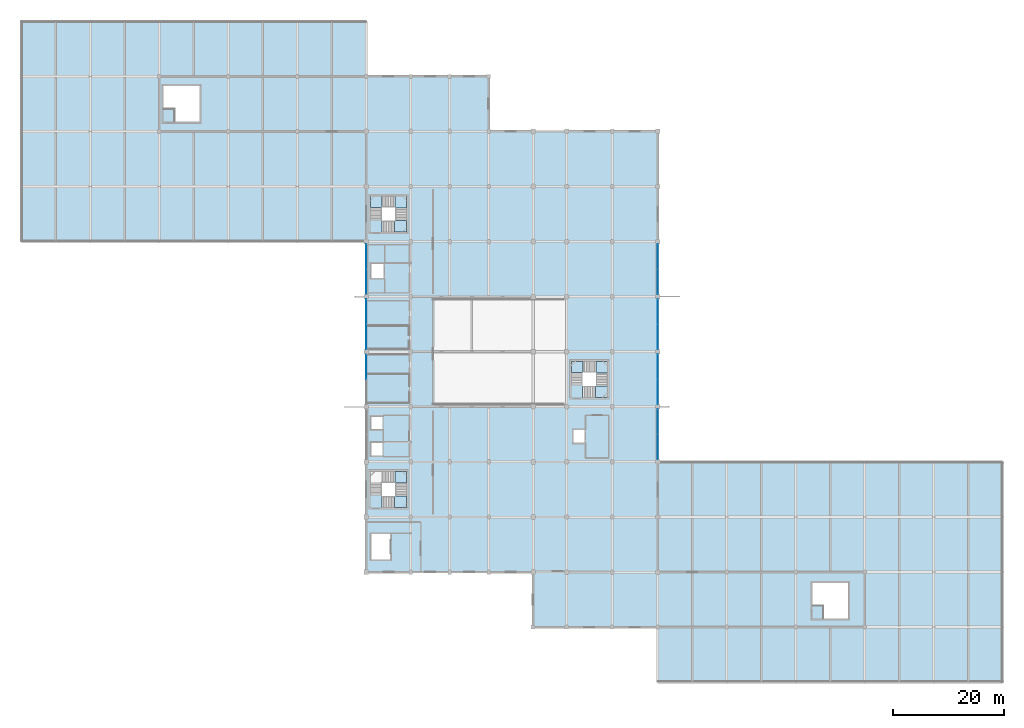
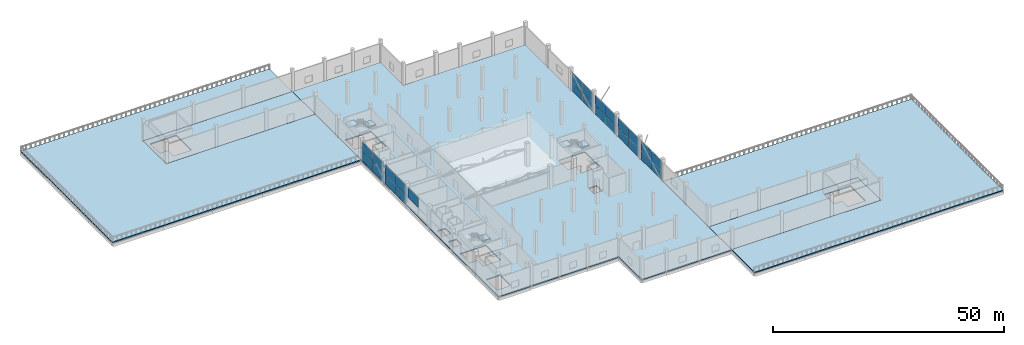
# One storey, part 24 of 46: 25 plates, 13 slabs, 10 elements without a shape of their own.
"""IFC4 building model written with IfcOpenShell, lengths in metres."""

from ifc_helpers import new_model, si_unit, direction, frame, origin, origin_2d, place, context, subcontext, project, spatial, polyline, rectangle, outline, extrude, material, layer, layer_set, type_object, element, aggregate, save


model = new_model("IFC4")

# Units and contexts
model_context = context("Model", 3, precision=1e-05, world=origin(), true_north=direction((0.0, 1.0)))
body_context = subcontext(model_context, "Body", "Model", "MODEL_VIEW")
ifc_project = project(units=[si_unit("LENGTHUNIT", "METRE"), si_unit("AREAUNIT", "SQUARE_METRE"), si_unit("VOLUMEUNIT", "CUBIC_METRE"), si_unit("PLANEANGLEUNIT", "RADIAN"), si_unit("MASSUNIT", "GRAM", prefix="KILO")], contexts=[model_context])

# Site, building, storey
site_placement = place(None, origin())
site = spatial("IfcSite", under=ifc_project, at=site_placement, CompositionType="ELEMENT")
building_placement = place(site_placement, origin())
building = spatial("IfcBuilding", under=site, at=building_placement, Name="Sillaruma Civic Art Gallery", CompositionType="ELEMENT")
storey_placement = place(building_placement, frame((0.0, 0.0, 16.320068359375)))
storey = spatial("IfcBuildingStorey", under=building, at=storey_placement, Name="L03", CompositionType="ELEMENT", Elevation=16.320068359375)

# Curtain wall, plate
ifc_material_1 = material(Name="Thermally Broken Extruded Aluminium 6063-T6", Category="aluminium")
ifc_layer_1 = layer(ifc_material_1, 0.139892578125, Name="Thermally Broken Extruded Aluminium 6063-T6")
ifc_layer_set_1 = layer_set([ifc_layer_1], Name="Thermally Broken Extruded Aluminium 6063-T6")
curtain_wall_type_1 = type_object("IfcCurtainWallType", Name="CW-UNI-19", PredefinedType="NOTDEFINED", material=ifc_layer_set_1)
curtain_wall_1_placement = place(storey_placement, origin())
curtain_wall_1 = element("IfcCurtainWall", 1, at=curtain_wall_1_placement, inside=storey, type_object=curtain_wall_type_1, Name="Unitised Curtain Wall CW-19 (CW-L03-E-6)", PredefinedType="NOTDEFINED")
ifc_material_2 = material(Name="Low-E UV-Filtered Laminated Insulating Glass", Category="glass")
ifc_layer_2 = layer(ifc_material_2, 0.028076171875, Name="Low-E UV-Filtered Laminated Insulating Glass")
ifc_layer_set_2 = layer_set([ifc_layer_2], Name="Low-E UV-Filtered Laminated Insulating Glass")
plate_type_1 = type_object("IfcPlateType", Name="PNL-GLZ-28", PredefinedType="CURTAIN_PANEL", material=ifc_layer_set_2)
plate_1_placement = place(storey_placement, frame((114.39990234375, 76.510009765625, 0.06005859375), z_axis=(0.0, 0.0, 1.0), x_axis=(0.0, 1.0, 0.0)))
plate_1 = element("IfcPlate", 2, at=plate_1_placement, type_object=plate_type_1, Name="CW-19 panel 2.1", PredefinedType="CURTAIN_PANEL", context=body_context, shape_type="SweptSolid", body=[
    extrude(rectangle(XDim=4.4599609375, YDim=0.028076171875, at=origin_2d()), origin(), (0.0, 0.0, 1.0), 2.246826171875),
])

# Curtain wall, plates
ifc_layer_3 = layer(ifc_material_1, 0.159912109375, Name="Thermally Broken Extruded Aluminium 6063-T6")
ifc_layer_set_3 = layer_set([ifc_layer_3], Name="Thermally Broken Extruded Aluminium 6063-T6")
curtain_wall_type_2 = type_object("IfcCurtainWallType", Name="CW-UNI-23", PredefinedType="NOTDEFINED", material=ifc_layer_set_3)
curtain_wall_2_placement = place(storey_placement, origin())
curtain_wall_2 = element("IfcCurtainWall", 3, at=curtain_wall_2_placement, inside=storey, type_object=curtain_wall_type_2, Name="Unitised Curtain Wall CW-23 (CW-L03-W-5)", PredefinedType="NOTDEFINED")
ifc_layer_4 = layer(ifc_material_2, 0.030029296875, Name="Low-E UV-Filtered Laminated Insulating Glass")
ifc_layer_set_4 = layer_set([ifc_layer_4], Name="Low-E UV-Filtered Laminated Insulating Glass")
plate_type_2 = type_object("IfcPlateType", Name="PNL-GLZ-30", PredefinedType="CURTAIN_PANEL", material=ifc_layer_set_4)
plate_2_placement = place(storey_placement, frame((62.0, 62.103759765625, 0.06005859375), z_axis=(0.0, 0.0, 1.0), x_axis=(0.0, 1.0, 0.0)))
plate_2 = element("IfcPlate", 4, at=plate_2_placement, type_object=plate_type_2, Name="CW-23 panel 1.1", PredefinedType="CURTAIN_PANEL", context=body_context, shape_type="SweptSolid", body=[
    extrude(rectangle(XDim=4.427490234375, YDim=0.030029296875, at=origin_2d()), origin(), (0.0, 0.0, 1.0), 2.246826171875),
])
plate_3_placement = place(storey_placement, frame((62.0, 62.103759765625, 2.36669921875), z_axis=(0.0, 0.0, 1.0), x_axis=(0.0, 1.0, 0.0)))
plate_3 = element("IfcPlate", 5, at=plate_3_placement, type_object=plate_type_2, Name="CW-23 panel 1.2", PredefinedType="CURTAIN_PANEL", context=body_context, shape_type="SweptSolid", body=[
    extrude(rectangle(XDim=4.427490234375, YDim=0.030029296875, at=origin_2d()), origin(), (0.0, 0.0, 1.0), 2.6533203125),
])
plate_4_placement = place(storey_placement, frame((62.0, 66.59619140625, 0.06005859375), z_axis=(0.0, 0.0, 1.0), x_axis=(0.0, 1.0, 0.0)))
plate_4 = element("IfcPlate", 6, at=plate_4_placement, type_object=plate_type_2, Name="CW-23 panel 2.1", PredefinedType="CURTAIN_PANEL", context=body_context, shape_type="SweptSolid", body=[
    extrude(rectangle(XDim=4.427490234375, YDim=0.030029296875, at=origin_2d()), origin(), (0.0, 0.0, 1.0), 2.246826171875),
])
plate_5_placement = place(storey_placement, frame((62.0, 66.59619140625, 2.36669921875), z_axis=(0.0, 0.0, 1.0), x_axis=(0.0, 1.0, 0.0)))
plate_5 = element("IfcPlate", 7, at=plate_5_placement, type_object=plate_type_2, Name="CW-23 panel 2.2", PredefinedType="CURTAIN_PANEL", context=body_context, shape_type="SweptSolid", body=[
    extrude(rectangle(XDim=4.427490234375, YDim=0.030029296875, at=origin_2d()), origin(), (0.0, 0.0, 1.0), 2.6533203125),
])
aggregate(curtain_wall_2, [plate_2, plate_3, plate_4, plate_5])

ifc_layer_5 = layer(ifc_material_1, 0.159912109375, Name="Thermally Broken Extruded Aluminium 6063-T6")
ifc_layer_set_5 = layer_set([ifc_layer_5], Name="Thermally Broken Extruded Aluminium 6063-T6")
curtain_wall_type_3 = type_object("IfcCurtainWallType", Name="CW-UNI-24", PredefinedType="NOTDEFINED", material=ifc_layer_set_5)
curtain_wall_3_placement = place(storey_placement, origin())
curtain_wall_3 = element("IfcCurtainWall", 8, at=curtain_wall_3_placement, inside=storey, type_object=curtain_wall_type_3, Name="Unitised Curtain Wall CW-24 (CW-L03-E-5)", PredefinedType="NOTDEFINED")
ifc_layer_6 = layer(ifc_material_2, 0.031982421875, Name="Low-E UV-Filtered Laminated Insulating Glass")
ifc_layer_set_6 = layer_set([ifc_layer_6], Name="Low-E UV-Filtered Laminated Insulating Glass")
plate_type_3 = type_object("IfcPlateType", Name="PNL-GLZ-32", PredefinedType="CURTAIN_PANEL", material=ifc_layer_set_6)
plate_6_placement = place(storey_placement, frame((114.39990234375, 62.09130859375, 0.06494140625), z_axis=(0.0, 0.0, 1.0), x_axis=(0.0, 1.0, 0.0)))
plate_6 = element("IfcPlate", 9, at=plate_6_placement, type_object=plate_type_3, Name="CW-24 panel 1.1", PredefinedType="CURTAIN_PANEL", context=body_context, shape_type="SweptSolid", body=[
    extrude(rectangle(XDim=4.452392578125, YDim=0.031982421875, at=origin_2d()), origin(), (0.0, 0.0, 1.0), 2.2392578125),
])
plate_7_placement = place(storey_placement, frame((114.39990234375, 62.09130859375, 2.369140625), z_axis=(0.0, 0.0, 1.0), x_axis=(0.0, 1.0, 0.0)))
plate_7 = element("IfcPlate", 10, at=plate_7_placement, type_object=plate_type_3, Name="CW-24 panel 1.2", PredefinedType="CURTAIN_PANEL", context=body_context, shape_type="SweptSolid", body=[
    extrude(rectangle(XDim=4.452392578125, YDim=0.031982421875, at=origin_2d()), origin(), (0.0, 0.0, 1.0), 2.645751953125),
])
plate_8_placement = place(storey_placement, frame((114.39990234375, 66.608642578125, 0.06494140625), z_axis=(0.0, 0.0, 1.0), x_axis=(0.0, 1.0, 0.0)))
plate_8 = element("IfcPlate", 11, at=plate_8_placement, type_object=plate_type_3, Name="CW-24 panel 2.1", PredefinedType="CURTAIN_PANEL", context=body_context, shape_type="SweptSolid", body=[
    extrude(rectangle(XDim=4.452392578125, YDim=0.031982421875, at=origin_2d()), origin(), (0.0, 0.0, 1.0), 2.2392578125),
])
plate_9_placement = place(storey_placement, frame((114.39990234375, 66.608642578125, 2.369140625), z_axis=(0.0, 0.0, 1.0), x_axis=(0.0, 1.0, 0.0)))
plate_9 = element("IfcPlate", 12, at=plate_9_placement, type_object=plate_type_3, Name="CW-24 panel 2.2", PredefinedType="CURTAIN_PANEL", context=body_context, shape_type="SweptSolid", body=[
    extrude(rectangle(XDim=4.452392578125, YDim=0.031982421875, at=origin_2d()), origin(), (0.0, 0.0, 1.0), 2.645751953125),
])
aggregate(curtain_wall_3, [plate_6, plate_7, plate_8, plate_9])

# Curtain wall, plate
ifc_layer_7 = layer(ifc_material_1, 0.139892578125, Name="Thermally Broken Extruded Aluminium 6063-T6")
ifc_layer_set_7 = layer_set([ifc_layer_7], Name="Thermally Broken Extruded Aluminium 6063-T6")
curtain_wall_type_4 = type_object("IfcCurtainWallType", Name="CW-UNI-20", PredefinedType="NOTDEFINED", material=ifc_layer_set_7)
curtain_wall_4_placement = place(storey_placement, origin())
curtain_wall_4 = element("IfcCurtainWall", 13, at=curtain_wall_4_placement, inside=storey, type_object=curtain_wall_type_4, Name="Unitised Curtain Wall CW-20 (CW-L03-E-3)", PredefinedType="NOTDEFINED")
ifc_layer_8 = layer(ifc_material_2, 0.033935546875, Name="Low-E UV-Filtered Laminated Insulating Glass")
ifc_layer_set_8 = layer_set([ifc_layer_8], Name="Low-E UV-Filtered Laminated Insulating Glass")
plate_type_4 = type_object("IfcPlateType", Name="PNL-GLZ-34", PredefinedType="CURTAIN_PANEL", material=ifc_layer_set_8)
plate_10_placement = place(storey_placement, frame((114.39990234375, 46.81005859375, 0.06494140625), z_axis=(0.0, 0.0, 1.0), x_axis=(0.0, 1.0, 0.0)))
plate_10 = element("IfcPlate", 14, at=plate_10_placement, type_object=plate_type_4, Name="CW-20 panel 2.1", PredefinedType="CURTAIN_PANEL", context=body_context, shape_type="SweptSolid", body=[
    extrude(rectangle(XDim=4.4599609375, YDim=0.033935546875, at=origin_2d()), origin(), (0.0, 0.0, 1.0), 2.2392578125),
])

curtain_wall_5_placement = place(storey_placement, origin())
curtain_wall_5 = element("IfcCurtainWall", 15, at=curtain_wall_5_placement, inside=storey, type_object=curtain_wall_type_4, Name="Unitised Curtain Wall CW-20 (CW-L03-W-6)", PredefinedType="NOTDEFINED")
plate_11_placement = place(storey_placement, frame((62.0, 76.49755859375, 0.06494140625), z_axis=(0.0, 0.0, 1.0), x_axis=(0.0, 1.0, 0.0)))
plate_11 = element("IfcPlate", 16, at=plate_11_placement, type_object=plate_type_4, Name="CW-20 panel 2.1", PredefinedType="CURTAIN_PANEL", context=body_context, shape_type="SweptSolid", body=[
    extrude(rectangle(XDim=4.43505859375, YDim=0.033935546875, at=origin_2d()), origin(), (0.0, 0.0, 1.0), 2.2392578125),
])

# Curtain wall, plates
ifc_layer_9 = layer(ifc_material_1, 0.179931640625, Name="Thermally Broken Extruded Aluminium 6063-T6")
ifc_layer_set_9 = layer_set([ifc_layer_9], Name="Thermally Broken Extruded Aluminium 6063-T6")
curtain_wall_type_5 = type_object("IfcCurtainWallType", Name="CW-UNI-22", PredefinedType="NOTDEFINED", material=ifc_layer_set_9)
curtain_wall_6_placement = place(storey_placement, origin())
curtain_wall_6 = element("IfcCurtainWall", 17, at=curtain_wall_6_placement, inside=storey, type_object=curtain_wall_type_5, Name="Unitised Curtain Wall CW-22 (CW-L03-E-4)", PredefinedType="NOTDEFINED")
ifc_layer_10 = layer(ifc_material_2, 0.035888671875, Name="Low-E UV-Filtered Laminated Insulating Glass")
ifc_layer_set_10 = layer_set([ifc_layer_10], Name="Low-E UV-Filtered Laminated Insulating Glass")
plate_type_5 = type_object("IfcPlateType", Name="PNL-GLZ-36", PredefinedType="CURTAIN_PANEL", material=ifc_layer_set_10)
plate_12_placement = place(storey_placement, frame((114.39990234375, 52.1923828125, 0.06982421875), z_axis=(0.0, 0.0, 1.0), x_axis=(0.0, 1.0, 0.0)))
plate_12 = element("IfcPlate", 18, at=plate_12_placement, type_object=plate_type_5, Name="CW-22 panel 1.1", PredefinedType="CURTAIN_PANEL", context=body_context, shape_type="SweptSolid", body=[
    extrude(rectangle(XDim=4.445068359375, YDim=0.035888671875, at=origin_2d()), origin(), (0.0, 0.0, 1.0), 2.231689453125),
])
plate_13_placement = place(storey_placement, frame((114.39990234375, 52.1923828125, 2.371826171875), z_axis=(0.0, 0.0, 1.0), x_axis=(0.0, 1.0, 0.0)))
plate_13 = element("IfcPlate", 19, at=plate_13_placement, type_object=plate_type_5, Name="CW-22 panel 1.2", PredefinedType="CURTAIN_PANEL", context=body_context, shape_type="SweptSolid", body=[
    extrude(rectangle(XDim=4.445068359375, YDim=0.035888671875, at=origin_2d()), origin(), (0.0, 0.0, 1.0), 2.63818359375),
])
plate_14_placement = place(storey_placement, frame((114.39990234375, 56.70751953125, 0.06982421875), z_axis=(0.0, 0.0, 1.0), x_axis=(0.0, 1.0, 0.0)))
plate_14 = element("IfcPlate", 20, at=plate_14_placement, type_object=plate_type_5, Name="CW-22 panel 2.1", PredefinedType="CURTAIN_PANEL", context=body_context, shape_type="SweptSolid", body=[
    extrude(rectangle(XDim=4.445068359375, YDim=0.035888671875, at=origin_2d()), origin(), (0.0, 0.0, 1.0), 2.231689453125),
])
plate_15_placement = place(storey_placement, frame((114.39990234375, 56.70751953125, 2.371826171875), z_axis=(0.0, 0.0, 1.0), x_axis=(0.0, 1.0, 0.0)))
plate_15 = element("IfcPlate", 21, at=plate_15_placement, type_object=plate_type_5, Name="CW-22 panel 2.2", PredefinedType="CURTAIN_PANEL", context=body_context, shape_type="SweptSolid", body=[
    extrude(rectangle(XDim=4.445068359375, YDim=0.035888671875, at=origin_2d()), origin(), (0.0, 0.0, 1.0), 2.63818359375),
])
aggregate(curtain_wall_6, [plate_12, plate_13, plate_14, plate_15])

# Curtain wall, plate
ifc_layer_11 = layer(ifc_material_1, 0.179931640625, Name="Thermally Broken Extruded Aluminium 6063-T6")
ifc_layer_set_11 = layer_set([ifc_layer_11], Name="Thermally Broken Extruded Aluminium 6063-T6")
curtain_wall_type_6 = type_object("IfcCurtainWallType", Name="CW-UNI-21", PredefinedType="NOTDEFINED", material=ifc_layer_set_11)
curtain_wall_7_placement = place(storey_placement, origin())
curtain_wall_7 = element("IfcCurtainWall", 22, at=curtain_wall_7_placement, inside=storey, type_object=curtain_wall_type_6, Name="Unitised Curtain Wall CW-21 (CW-L03-W-4)", PredefinedType="NOTDEFINED")
ifc_layer_12 = layer(ifc_material_2, 0.0400390625, Name="Low-E UV-Filtered Laminated Insulating Glass")
ifc_layer_set_12 = layer_set([ifc_layer_12], Name="Low-E UV-Filtered Laminated Insulating Glass")
plate_type_6 = type_object("IfcPlateType", Name="PNL-GLZ-40", PredefinedType="CURTAIN_PANEL", material=ifc_layer_set_12)
plate_16_placement = place(storey_placement, frame((62.0, 56.695068359375, 2.369140625), z_axis=(0.0, 0.0, 1.0), x_axis=(0.0, 1.0, 0.0)))
plate_16 = element("IfcPlate", 23, at=plate_16_placement, type_object=plate_type_6, Name="CW-21 panel 2.2", PredefinedType="CURTAIN_PANEL", context=body_context, shape_type="SweptSolid", body=[
    extrude(rectangle(XDim=4.419921875, YDim=0.0400390625, at=origin_2d()), origin(), (0.0, 0.0, 1.0), 2.645751953125),
])
aggregate(curtain_wall_7, [plate_16])

# Plate
ifc_material_3 = material(Name="Anodised Zinc-Aluminium Alloy", Category="aluminium")
ifc_layer_13 = layer(ifc_material_3, 0.028076171875, Name="Anodised Zinc-Aluminium Alloy")
ifc_layer_set_13 = layer_set([ifc_layer_13], Name="Anodised Zinc-Aluminium Alloy")
plate_type_7 = type_object("IfcPlateType", Name="PNL-SPD-28", PredefinedType="CURTAIN_PANEL", material=ifc_layer_set_13)
plate_17_placement = place(storey_placement, frame((114.39990234375, 71.989990234375, 0.06005859375), z_axis=(0.0, 0.0, 1.0), x_axis=(0.0, 1.0, 0.0)))
plate_17 = element("IfcPlate", 24, at=plate_17_placement, type_object=plate_type_7, Name="CW-19 panel 1.1", PredefinedType="CURTAIN_PANEL", context=body_context, shape_type="SweptSolid", body=[
    extrude(rectangle(XDim=4.4599609375, YDim=0.028076171875, at=origin_2d()), origin(), (0.0, 0.0, 1.0), 2.246826171875),
])

plate_18_placement = place(storey_placement, frame((114.39990234375, 71.989990234375, 2.36669921875), z_axis=(0.0, 0.0, 1.0), x_axis=(0.0, 1.0, 0.0)))
plate_18 = element("IfcPlate", 25, at=plate_18_placement, type_object=plate_type_7, Name="CW-19 panel 1.2", PredefinedType="CURTAIN_PANEL", context=body_context, shape_type="SweptSolid", body=[
    extrude(rectangle(XDim=4.4599609375, YDim=0.028076171875, at=origin_2d()), origin(), (0.0, 0.0, 1.0), 2.6533203125),
])

plate_19_placement = place(storey_placement, frame((114.39990234375, 76.510009765625, 2.36669921875), z_axis=(0.0, 0.0, 1.0), x_axis=(0.0, 1.0, 0.0)))
plate_19 = element("IfcPlate", 26, at=plate_19_placement, type_object=plate_type_7, Name="CW-19 panel 2.2", PredefinedType="CURTAIN_PANEL", context=body_context, shape_type="SweptSolid", body=[
    extrude(rectangle(XDim=4.4599609375, YDim=0.028076171875, at=origin_2d()), origin(), (0.0, 0.0, 1.0), 2.6533203125),
])

aggregate(curtain_wall_1, [plate_17, plate_18, plate_1, plate_19])

ifc_layer_14 = layer(ifc_material_3, 0.033935546875, Name="Anodised Zinc-Aluminium Alloy")
ifc_layer_set_14 = layer_set([ifc_layer_14], Name="Anodised Zinc-Aluminium Alloy")
plate_type_8 = type_object("IfcPlateType", Name="PNL-SPD-34", PredefinedType="CURTAIN_PANEL", material=ifc_layer_set_14)
plate_20_placement = place(storey_placement, frame((114.39990234375, 42.2900390625, 0.06494140625), z_axis=(0.0, 0.0, 1.0), x_axis=(0.0, 1.0, 0.0)))
plate_20 = element("IfcPlate", 27, at=plate_20_placement, type_object=plate_type_8, Name="CW-20 panel 1.1", PredefinedType="CURTAIN_PANEL", context=body_context, shape_type="SweptSolid", body=[
    extrude(rectangle(XDim=4.4599609375, YDim=0.033935546875, at=origin_2d()), origin(), (0.0, 0.0, 1.0), 2.2392578125),
])

plate_21_placement = place(storey_placement, frame((114.39990234375, 42.2900390625, 2.369140625), z_axis=(0.0, 0.0, 1.0), x_axis=(0.0, 1.0, 0.0)))
plate_21 = element("IfcPlate", 28, at=plate_21_placement, type_object=plate_type_8, Name="CW-20 panel 1.2", PredefinedType="CURTAIN_PANEL", context=body_context, shape_type="SweptSolid", body=[
    extrude(rectangle(XDim=4.4599609375, YDim=0.033935546875, at=origin_2d()), origin(), (0.0, 0.0, 1.0), 2.645751953125),
])

plate_22_placement = place(storey_placement, frame((114.39990234375, 46.81005859375, 2.369140625), z_axis=(0.0, 0.0, 1.0), x_axis=(0.0, 1.0, 0.0)))
plate_22 = element("IfcPlate", 29, at=plate_22_placement, type_object=plate_type_8, Name="CW-20 panel 2.2", PredefinedType="CURTAIN_PANEL", context=body_context, shape_type="SweptSolid", body=[
    extrude(rectangle(XDim=4.4599609375, YDim=0.033935546875, at=origin_2d()), origin(), (0.0, 0.0, 1.0), 2.645751953125),
])

aggregate(curtain_wall_4, [plate_20, plate_21, plate_10, plate_22])

plate_23_placement = place(storey_placement, frame((62.0, 72.00244140625, 0.06494140625), z_axis=(0.0, 0.0, 1.0), x_axis=(0.0, 1.0, 0.0)))
plate_23 = element("IfcPlate", 30, at=plate_23_placement, type_object=plate_type_8, Name="CW-20 panel 1.1", PredefinedType="CURTAIN_PANEL", context=body_context, shape_type="SweptSolid", body=[
    extrude(rectangle(XDim=4.43505859375, YDim=0.033935546875, at=origin_2d()), origin(), (0.0, 0.0, 1.0), 2.2392578125),
])

plate_24_placement = place(storey_placement, frame((62.0, 72.00244140625, 2.369140625), z_axis=(0.0, 0.0, 1.0), x_axis=(0.0, 1.0, 0.0)))
plate_24 = element("IfcPlate", 31, at=plate_24_placement, type_object=plate_type_8, Name="CW-20 panel 1.2", PredefinedType="CURTAIN_PANEL", context=body_context, shape_type="SweptSolid", body=[
    extrude(rectangle(XDim=4.43505859375, YDim=0.033935546875, at=origin_2d()), origin(), (0.0, 0.0, 1.0), 2.645751953125),
])

plate_25_placement = place(storey_placement, frame((62.0, 76.49755859375, 2.369140625), z_axis=(0.0, 0.0, 1.0), x_axis=(0.0, 1.0, 0.0)))
plate_25 = element("IfcPlate", 32, at=plate_25_placement, type_object=plate_type_8, Name="CW-20 panel 2.2", PredefinedType="CURTAIN_PANEL", context=body_context, shape_type="SweptSolid", body=[
    extrude(rectangle(XDim=4.43505859375, YDim=0.033935546875, at=origin_2d()), origin(), (0.0, 0.0, 1.0), 2.645751953125),
])

aggregate(curtain_wall_5, [plate_23, plate_24, plate_11, plate_25])

# Slabs
ifc_material_4 = material(Name="Concrete H35 (35 MPa)", Category="concrete")
ifc_layer_15 = layer(ifc_material_4, 0.280029296875, Name="Concrete H35 (35 MPa)")
ifc_layer_set_15 = layer_set([ifc_layer_15], Name="Concrete H35 (35 MPa)")
slab_type_1 = type_object("IfcSlabType", Name="SLB-EXT-280", PredefinedType="FLOOR", material=ifc_layer_set_15)
slab_1_placement = place(storey_placement, frame((0.0, 0.0, -0.280029296875)))
element("IfcSlab", 33, at=slab_1_placement, inside=storey, type_object=slab_type_1, Name="West Podium Sculpture Terrace (SLB-L03-TER-W)", PredefinedType="FLOOR", context=body_context, shape_type="SweptSolid", body=[
    extrude(outline(polyline([(0.0, 79.199951171875), (62.0, 79.199951171875), (62.0, 99.0), (24.800048828125, 99.0), (24.800048828125, 108.89990234375), (62.0, 108.89990234375), (62.0, 118.800048828125), (0.0, 118.800048828125), (0.0, 79.199951171875)])), origin(), (0.0, 0.0, 1.0), 0.280029296875),
])
slab_2_placement = place(storey_placement, frame((0.0, 0.0, -0.280029296875)))
element("IfcSlab", 34, at=slab_2_placement, inside=storey, type_object=slab_type_1, Name="East Podium Sculpture Terrace (SLB-L03-TER-E)", PredefinedType="FLOOR", context=body_context, shape_type="SweptSolid", body=[
    extrude(outline(polyline([(114.39990234375, 0.0), (176.39990234375, 0.0), (176.39990234375, 39.60009765625), (114.39990234375, 39.60009765625), (114.39990234375, 19.800048828125), (151.60009765625, 19.800048828125), (151.60009765625, 9.89990234375), (114.39990234375, 9.89990234375), (114.39990234375, 0.0)])), origin(), (0.0, 0.0, 1.0), 0.280029296875),
])
ifc_layer_16 = layer(ifc_material_4, 0.280029296875, Name="Concrete H35 (35 MPa)")
ifc_layer_set_16 = layer_set([ifc_layer_16], Name="Concrete H35 (35 MPa)")
slab_type_2 = type_object("IfcSlabType", Name="SLB-FLR-280", PredefinedType="FLOOR", material=ifc_layer_set_16)
slab_3_placement = place(storey_placement, frame((0.0, 0.0, -0.280029296875)))
element("IfcSlab", 35, at=slab_3_placement, inside=storey, type_object=slab_type_2, Name="Floor Slab SF-280 (SLB-L03-MAIN)", PredefinedType="FLOOR", context=body_context, shape_type="SweptSolid", body=[
    extrude(outline(polyline([(92.0, 9.89990234375), (114.39990234375, 9.89990234375), (114.39990234375, 99.0), (84.0, 99.0), (84.0, 108.89990234375), (62.0, 108.89990234375), (62.0, 19.800048828125), (92.0, 19.800048828125), (92.0, 9.89990234375)]), holes=[polyline([(64.81494140625, 80.909912109375), (69.239990234375, 80.909912109375), (69.239990234375, 87.389892578125), (62.760009765625, 87.389892578125), (62.760009765625, 83.3349609375), (64.81494140625, 83.3349609375), (64.81494140625, 80.909912109375)]), polyline([(64.81494140625, 31.409912109375), (69.239990234375, 31.409912109375), (69.239990234375, 37.889892578125), (62.760009765625, 37.889892578125), (62.760009765625, 33.8349609375), (64.81494140625, 33.8349609375), (64.81494140625, 31.409912109375)]), polyline([(100.9150390625, 51.2099609375), (105.340087890625, 51.2099609375), (105.340087890625, 57.68994140625), (98.860107421875, 57.68994140625), (98.860107421875, 53.635009765625), (100.9150390625, 53.635009765625), (100.9150390625, 51.2099609375)]), polyline([(62.89990234375, 40.75), (64.89990234375, 40.75), (64.89990234375, 43.050048828125), (62.89990234375, 43.050048828125), (62.89990234375, 40.75)]), polyline([(62.89990234375, 45.449951171875), (64.89990234375, 45.449951171875), (64.89990234375, 47.75), (62.89990234375, 47.75), (62.89990234375, 45.449951171875)]), polyline([(99.25, 43.050048828125), (101.25, 43.050048828125), (101.25, 45.35009765625), (99.25, 45.35009765625), (99.25, 43.050048828125)]), polyline([(62.89990234375, 72.64990234375), (65.10009765625, 72.64990234375), (65.10009765625, 75.25), (62.89990234375, 75.25), (62.89990234375, 72.64990234375)]), polyline([(62.89990234375, 22.050048828125), (66.300048828125, 22.050048828125), (66.300048828125, 26.64990234375), (62.89990234375, 26.64990234375), (62.89990234375, 22.050048828125)])]), origin(), (0.0, 0.0, 1.0), 0.280029296875),
])
slab_4_placement = place(storey_placement, frame((0.0, 0.0, -0.280029296875)))
element("IfcSlab", 36, at=slab_4_placement, inside=storey, type_object=slab_type_2, Name="Floor Slab SF-280 (SLB-L03-HH1)", PredefinedType="FLOOR", context=body_context, shape_type="SweptSolid", body=[
    extrude(outline(polyline([(24.800048828125, 99.0), (62.0, 99.0), (62.0, 108.89990234375), (24.800048828125, 108.89990234375), (24.800048828125, 99.0)]), holes=[polyline([(27.614990234375, 100.699951171875), (32.0400390625, 100.699951171875), (32.0400390625, 107.179931640625), (25.56005859375, 107.179931640625), (25.56005859375, 103.125), (27.614990234375, 103.125), (27.614990234375, 100.699951171875)])]), origin(), (0.0, 0.0, 1.0), 0.280029296875),
])
slab_5_placement = place(storey_placement, frame((0.0, 0.0, -0.280029296875)))
element("IfcSlab", 37, at=slab_5_placement, inside=storey, type_object=slab_type_2, Name="Floor Slab SF-280 (SLB-L03-HH5)", PredefinedType="FLOOR", context=body_context, shape_type="SweptSolid", body=[
    extrude(outline(polyline([(114.39990234375, 9.89990234375), (151.60009765625, 9.89990234375), (151.60009765625, 19.800048828125), (114.39990234375, 19.800048828125), (114.39990234375, 9.89990234375)]), holes=[polyline([(144.215087890625, 11.39990234375), (148.639892578125, 11.39990234375), (148.639892578125, 17.8798828125), (142.159912109375, 17.8798828125), (142.159912109375, 13.824951171875), (144.215087890625, 13.824951171875), (144.215087890625, 11.39990234375)])]), origin(), (0.0, 0.0, 1.0), 0.280029296875),
])

# Stair, slabs
stair_type = type_object("IfcStairType", Name="STR-4F-36", PredefinedType="USERDEFINED", material=ifc_material_4)
stair_1_placement = place(storey_placement, origin())
stair_1 = element("IfcStair", 38, at=stair_1_placement, inside=storey, type_object=stair_type, Name="Protected Exit Stair ST-02 (West Bar North) (L03)", ObjectType="THREE_RETURN_STAIR", PredefinedType="USERDEFINED")
ifc_layer_17 = layer(ifc_material_4, 0.199951171875, Name="Concrete H35 (35 MPa)")
ifc_layer_set_17 = layer_set([ifc_layer_17], Name="Concrete H35 (35 MPa)")
slab_type_3 = type_object("IfcSlabType", Name="SLB-LND-200", PredefinedType="LANDING", material=ifc_layer_set_17)
slab_6_placement = place(storey_placement, frame((0.0, 0.0, 1.329833984375)))
slab_6 = element("IfcSlab", 39, at=slab_6_placement, type_object=slab_type_3, Name="ST-02 landing 1", PredefinedType="LANDING", context=body_context, shape_type="SweptSolid", body=[
    extrude(outline(polyline([(67.1201171875, 80.909912109375), (69.239990234375, 80.909912109375), (69.239990234375, 82.949951171875), (67.1201171875, 82.949951171875), (67.1201171875, 80.909912109375)])), origin(), (0.0, 0.0, 1.0), 0.2001953125),
])
slab_7_placement = place(storey_placement, frame((0.0, 0.0, 2.85986328125)))
slab_7 = element("IfcSlab", 40, at=slab_7_placement, type_object=slab_type_3, Name="ST-02 landing 2", PredefinedType="LANDING", context=body_context, shape_type="SweptSolid", body=[
    extrude(outline(polyline([(67.199951171875, 85.27001953125), (69.239990234375, 85.27001953125), (69.239990234375, 87.389892578125), (67.199951171875, 87.389892578125), (67.199951171875, 85.27001953125)])), origin(), (0.0, 0.0, 1.0), 0.199951171875),
])
slab_8_placement = place(storey_placement, frame((0.0, 0.0, 4.389892578125)))
slab_8 = element("IfcSlab", 41, at=slab_8_placement, type_object=slab_type_3, Name="ST-02 landing 3", PredefinedType="LANDING", context=body_context, shape_type="SweptSolid", body=[
    extrude(outline(polyline([(62.760009765625, 85.35009765625), (64.8798828125, 85.35009765625), (64.8798828125, 87.389892578125), (62.760009765625, 87.389892578125), (62.760009765625, 85.35009765625)])), origin(), (0.0, 0.0, 1.0), 0.199951171875),
])
aggregate(stair_1, [slab_6, slab_7, slab_8])

stair_2_placement = place(storey_placement, origin())
stair_2 = element("IfcStair", 42, at=stair_2_placement, inside=storey, type_object=stair_type, Name="Protected Exit Stair ST-03 (West Bar South) (L03)", ObjectType="THREE_RETURN_STAIR", PredefinedType="USERDEFINED")
slab_9_placement = place(storey_placement, frame((0.0, 0.0, 1.329833984375)))
slab_9 = element("IfcSlab", 43, at=slab_9_placement, type_object=slab_type_3, Name="ST-03 landing 1", PredefinedType="LANDING", context=body_context, shape_type="SweptSolid", body=[
    extrude(outline(polyline([(67.1201171875, 31.409912109375), (69.239990234375, 31.409912109375), (69.239990234375, 33.449951171875), (67.1201171875, 33.449951171875), (67.1201171875, 31.409912109375)])), origin(), (0.0, 0.0, 1.0), 0.2001953125),
])
slab_10_placement = place(storey_placement, frame((0.0, 0.0, 2.85986328125)))
slab_10 = element("IfcSlab", 44, at=slab_10_placement, type_object=slab_type_3, Name="ST-03 landing 2", PredefinedType="LANDING", context=body_context, shape_type="SweptSolid", body=[
    extrude(outline(polyline([(67.199951171875, 35.77001953125), (69.239990234375, 35.77001953125), (69.239990234375, 37.889892578125), (67.199951171875, 37.889892578125), (67.199951171875, 35.77001953125)])), origin(), (0.0, 0.0, 1.0), 0.199951171875),
])
aggregate(stair_2, [slab_9, slab_10])

stair_3_placement = place(storey_placement, origin())
stair_3 = element("IfcStair", 45, at=stair_3_placement, inside=storey, type_object=stair_type, Name="Protected Exit Stair ST-04 (East Bar) (L03)", ObjectType="THREE_RETURN_STAIR", PredefinedType="USERDEFINED")
slab_11_placement = place(storey_placement, frame((0.0, 0.0, 1.329833984375)))
slab_11 = element("IfcSlab", 46, at=slab_11_placement, type_object=slab_type_3, Name="ST-04 landing 1", PredefinedType="LANDING", context=body_context, shape_type="SweptSolid", body=[
    extrude(outline(polyline([(103.219970703125, 51.2099609375), (105.340087890625, 51.2099609375), (105.340087890625, 53.25), (103.219970703125, 53.25), (103.219970703125, 51.2099609375)])), origin(), (0.0, 0.0, 1.0), 0.2001953125),
])
slab_12_placement = place(storey_placement, frame((0.0, 0.0, 2.85986328125)))
slab_12 = element("IfcSlab", 47, at=slab_12_placement, type_object=slab_type_3, Name="ST-04 landing 2", PredefinedType="LANDING", context=body_context, shape_type="SweptSolid", body=[
    extrude(outline(polyline([(103.300048828125, 55.570068359375), (105.340087890625, 55.570068359375), (105.340087890625, 57.68994140625), (103.300048828125, 57.68994140625), (103.300048828125, 55.570068359375)])), origin(), (0.0, 0.0, 1.0), 0.199951171875),
])
slab_13_placement = place(storey_placement, frame((0.0, 0.0, 4.389892578125)))
slab_13 = element("IfcSlab", 48, at=slab_13_placement, type_object=slab_type_3, Name="ST-04 landing 3", PredefinedType="LANDING", context=body_context, shape_type="SweptSolid", body=[
    extrude(outline(polyline([(98.860107421875, 55.64990234375), (100.97998046875, 55.64990234375), (100.97998046875, 57.68994140625), (98.860107421875, 57.68994140625), (98.860107421875, 55.64990234375)])), origin(), (0.0, 0.0, 1.0), 0.199951171875),
])
aggregate(stair_3, [slab_11, slab_12, slab_13])

save(model, "model.ifc")
